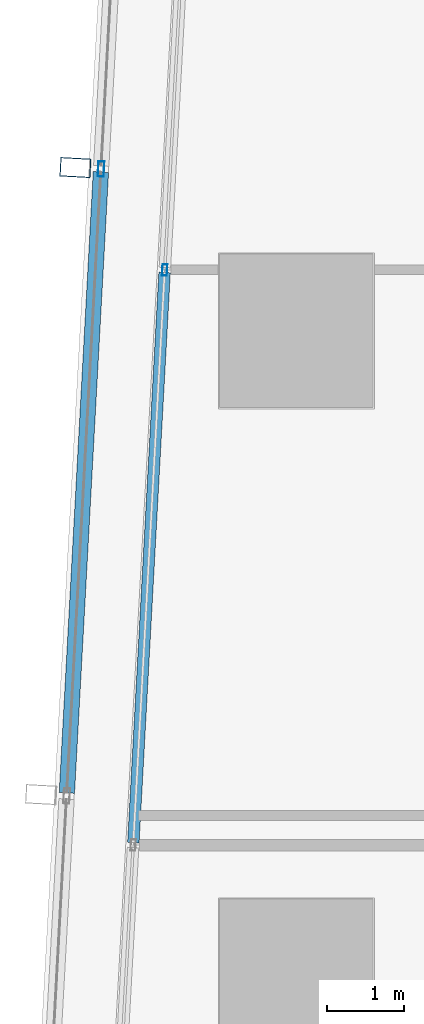
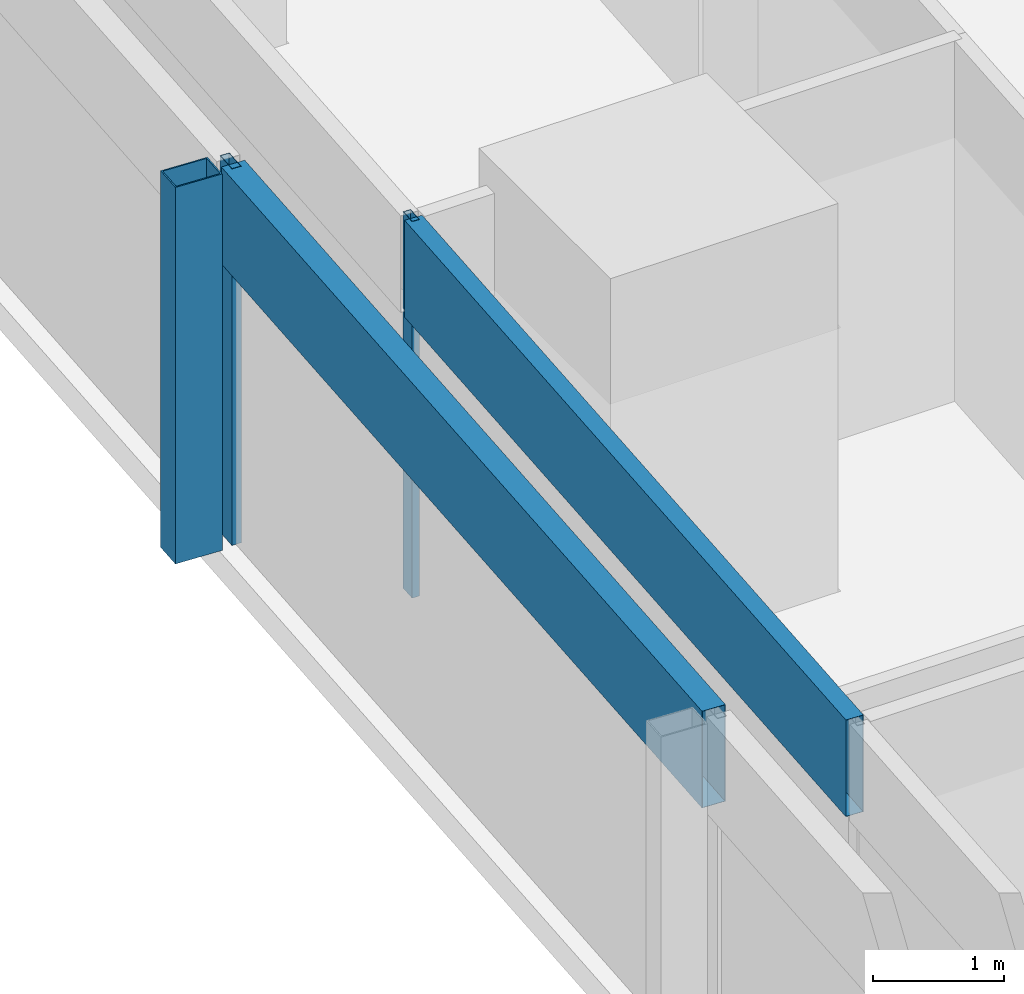
# One storey, part 8 of 39: 5 members, 2 elements without a shape of their own.
"""IFC4 building model written with IfcOpenShell, lengths in metres."""

from ifc_helpers import new_model, si_unit, direction, frame, origin, origin_2d, place, context, subcontext, project, spatial, hollow_rectangle, extrude, material, material_profile, profile_set, type_object, element, aggregate, save


model = new_model("IFC4")

# Units and contexts
model_context = context("Model", 3, precision=1e-05, world=origin(), true_north=direction((0.0, 1.0)))
body_context = subcontext(model_context, "Body", "Model", "MODEL_VIEW")
ifc_project = project(units=[si_unit("LENGTHUNIT", "METRE"), si_unit("AREAUNIT", "SQUARE_METRE"), si_unit("VOLUMEUNIT", "CUBIC_METRE"), si_unit("PLANEANGLEUNIT", "RADIAN"), si_unit("MASSUNIT", "GRAM", prefix="KILO")], contexts=[model_context])

# Site, building, storey
site_placement = place(None, origin())
site = spatial("IfcSite", under=ifc_project, at=site_placement, CompositionType="ELEMENT")
building_placement = place(site_placement, origin())
building = spatial("IfcBuilding", under=site, at=building_placement, Name="Rekha Terrace Tower", CompositionType="ELEMENT")
storey_placement = place(building_placement, frame((0.0, 0.0, 151.550048828125)))
storey = spatial("IfcBuildingStorey", under=building, at=storey_placement, Name="L38", CompositionType="ELEMENT", Elevation=151.550048828125)

# Curtain wall, member
ifc_material_1 = material(Name="Aluminium framing", Category="aluminium")
curtain_wall_type_1 = type_object("IfcCurtainWallType", Name="CW2 double skin outer glazing", PredefinedType="USERDEFINED", material=ifc_material_1)
curtain_wall_1_placement = place(storey_placement, origin())
curtain_wall_1 = element("IfcCurtainWall", 1, at=curtain_wall_1_placement, inside=storey, type_object=curtain_wall_type_1, Name="CW2 double skin outer glazing", ObjectType="DOUBLE SKIN OUTER GLAZING", PredefinedType="USERDEFINED")
ifc_material_2 = material(Name="Steel S355 with fluorocarbon finish", Category="steel")
ifc_material_profile_1 = material_profile(ifc_material_2, hollow_rectangle(XDim=0.25, YDim=0.39990234375, WallThickness=0.012451171875, at=origin_2d()), Name="RHS400x250x12.5")
ifc_profile_set_1 = profile_set([ifc_material_profile_1], Name="Steel S355 with fluorocarbon finish")
member_type_1 = type_object("IfcMemberType", Name="BL1 facade blade RHS 400 x 250", PredefinedType="USERDEFINED", material=ifc_profile_set_1)
member_1_placement = place(storey_placement, frame((5.521728515625, 44.128662109375, 0.0), z_axis=(0.0, 0.0, 1.0), x_axis=(-0.054742798353, -0.998500488747, 0.0)))
member_1 = element("IfcMember", 2, at=member_1_placement, type_object=member_type_1, Name="Facade blade", ObjectType="FACADE BLADE", PredefinedType="USERDEFINED", context=body_context, shape_type="SweptSolid", body=[
    extrude(hollow_rectangle(XDim=0.25, YDim=0.39990234375, WallThickness=0.012451171875, at=origin_2d()), origin(), (0.0, 0.0, 1.0), 3.5),
])

# Curtain wall, members
curtain_wall_type_2 = type_object("IfcCurtainWallType", Name="CW1 double skin inner glazing", PredefinedType="USERDEFINED", material=ifc_material_1)
curtain_wall_2_placement = place(storey_placement, origin())
curtain_wall_2 = element("IfcCurtainWall", 3, at=curtain_wall_2_placement, inside=storey, type_object=curtain_wall_type_2, Name="CW1 double skin inner glazing", ObjectType="DOUBLE SKIN INNER GLAZING", PredefinedType="USERDEFINED")
ifc_material_3 = material(Name="Aluminium mullion section", Category="aluminium")
ifc_material_profile_2 = material_profile(ifc_material_3, hollow_rectangle(XDim=0.06494140625, YDim=0.14990234375, WallThickness=0.00390625, at=origin_2d()), Name="AL RHS 65x150")
ifc_profile_set_2 = profile_set([ifc_material_profile_2], Name="Aluminium mullion section")
member_type_2 = type_object("IfcMemberType", Name="CW1 mullion RHS 65 x 150", PredefinedType="MULLION", material=ifc_profile_set_2)
member_2_placement = place(storey_placement, frame((6.685302734375, 42.794189453125, 0.0), z_axis=(0.0, 0.0, 1.0), x_axis=(0.99850051318, -0.054742352707, 0.0)))
member_2 = element("IfcMember", 4, at=member_2_placement, type_object=member_type_2, Name="CW1 mullion 3", PredefinedType="MULLION", context=body_context, shape_type="SweptSolid", body=[
    extrude(hollow_rectangle(XDim=0.06494140625, YDim=0.14990234375, WallThickness=0.00390625, at=origin_2d()), origin(), (0.0, 0.0, 1.0), 3.5),
])
ifc_material_4 = material(Name="Insulated aluminium spandrel box", Category="aluminium")
ifc_material_profile_3 = material_profile(ifc_material_4, hollow_rectangle(XDim=0.14990234375, YDim=0.89990234375, WallThickness=0.0029296875, at=origin_2d()), Name="AL SPANDREL BOX 150x900")
ifc_profile_set_3 = profile_set([ifc_material_profile_3], Name="Insulated aluminium spandrel box")
member_type_3 = type_object("IfcMemberType", Name="CW1 spandrel transom 150 x 900", PredefinedType="USERDEFINED", material=ifc_profile_set_3)
member_3_placement = place(storey_placement, frame((6.68359375, 42.76171875, 3.050048828125), z_axis=(-0.054726346149, -0.998501390604, 0.0), x_axis=(0.998501390604, -0.054726346149, 0.0)))
member_3 = element("IfcMember", 5, at=member_3_placement, type_object=member_type_3, Name="CW1 spandrel transom 3", ObjectType="TRANSOM", PredefinedType="USERDEFINED", context=body_context, shape_type="SweptSolid", body=[
    extrude(hollow_rectangle(XDim=0.14990234375, YDim=0.89990234375, WallThickness=0.0029296875, at=origin_2d()), origin(), (0.0, 0.0, 1.0), 7.436767578125),
])
aggregate(curtain_wall_2, [member_2, member_3])

# Member
ifc_material_profile_4 = material_profile(ifc_material_3, hollow_rectangle(XDim=0.080078125, YDim=0.199951171875, WallThickness=0.00390625, at=origin_2d()), Name="AL RHS 80x200")
ifc_profile_set_4 = profile_set([ifc_material_profile_4], Name="Aluminium mullion section")
member_type_4 = type_object("IfcMemberType", Name="CW2 mullion RHS 80 x 200", PredefinedType="MULLION", material=ifc_profile_set_4)
member_4_placement = place(storey_placement, frame((5.856201171875, 44.1103515625, 0.0), z_axis=(0.0, 0.0, 1.0), x_axis=(0.99850051318, -0.054742352707, 0.0)))
member_4 = element("IfcMember", 6, at=member_4_placement, type_object=member_type_4, Name="CW2 mullion 3", PredefinedType="MULLION", context=body_context, shape_type="SweptSolid", body=[
    extrude(hollow_rectangle(XDim=0.080078125, YDim=0.199951171875, WallThickness=0.00390625, at=origin_2d()), origin(), (0.0, 0.0, 1.0), 3.5),
])

ifc_material_profile_5 = material_profile(ifc_material_4, hollow_rectangle(XDim=0.199951171875, YDim=0.89990234375, WallThickness=0.0029296875, at=origin_2d()), Name="AL SPANDREL BOX 200x900")
ifc_profile_set_5 = profile_set([ifc_material_profile_5], Name="Insulated aluminium spandrel box")
member_type_5 = type_object("IfcMemberType", Name="CW2 spandrel transom 200 x 900", PredefinedType="USERDEFINED", material=ifc_profile_set_5)
member_5_placement = place(storey_placement, frame((5.85400390625, 44.070556640625, 3.050048828125), z_axis=(-0.054735499102, -0.998500888902, 0.0), x_axis=(0.998500888902, -0.054735499102, 0.0)))
member_5 = element("IfcMember", 7, at=member_5_placement, type_object=member_type_5, Name="CW2 spandrel transom 3", ObjectType="TRANSOM", PredefinedType="USERDEFINED", context=body_context, shape_type="SweptSolid", body=[
    extrude(hollow_rectangle(XDim=0.199951171875, YDim=0.89990234375, WallThickness=0.0029296875, at=origin_2d()), origin(), (0.0, 0.0, 1.0), 8.10009765625),
])

aggregate(curtain_wall_1, [member_4, member_5, member_1])

save(model, "model.ifc")
